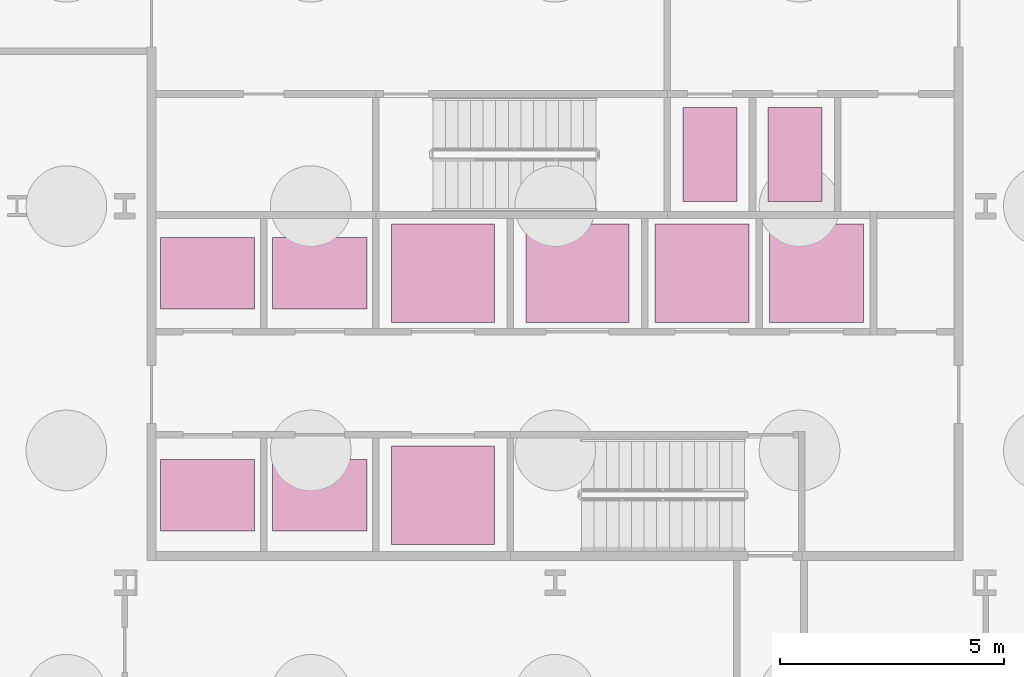
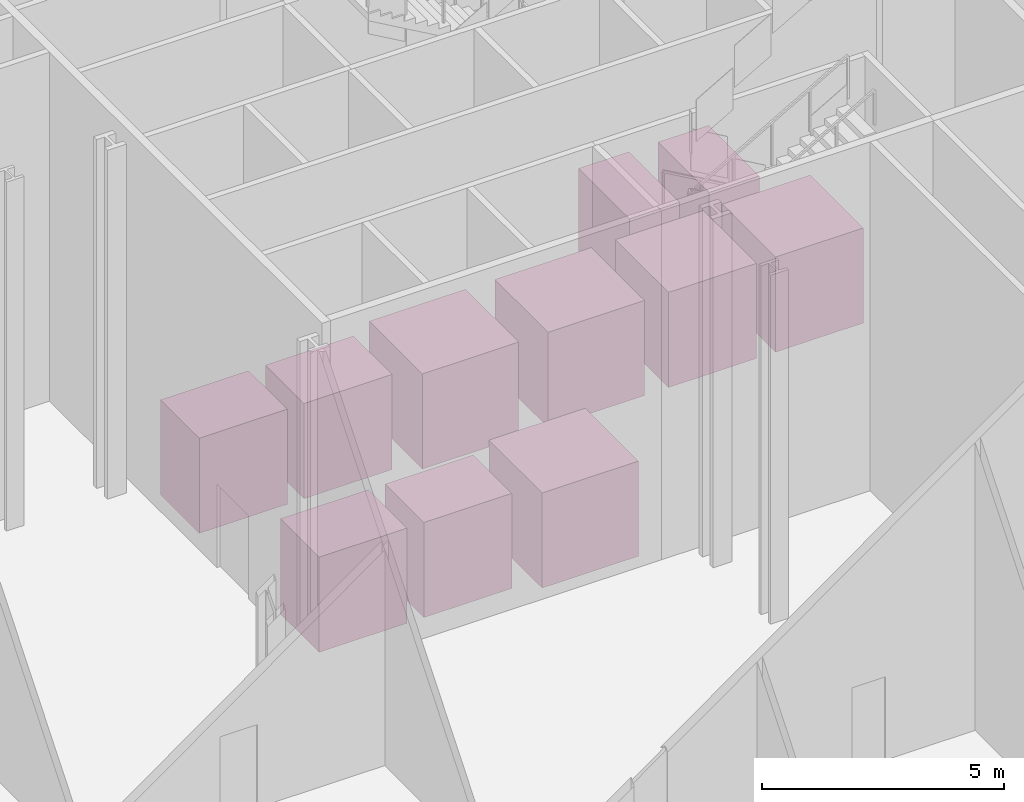
# One storey, part 38 of 38: 11 transport elements.
"""IFC4 building model written with IfcOpenShell, lengths in metres."""

from ifc_helpers import new_model, si_unit, direction, frame, origin, origin_2d, place, context, subcontext, project, spatial, rectangle, extrude, material, type_object, element, save


model = new_model("IFC4")

# Units and contexts
model_context = context("Model", 3, precision=1e-05, world=origin(), true_north=direction((0.0, 1.0)))
body_context = subcontext(model_context, "Body", "Model", "MODEL_VIEW")
ifc_project = project(units=[si_unit("LENGTHUNIT", "METRE"), si_unit("AREAUNIT", "SQUARE_METRE"), si_unit("VOLUMEUNIT", "CUBIC_METRE"), si_unit("PLANEANGLEUNIT", "RADIAN"), si_unit("MASSUNIT", "GRAM", prefix="KILO")], contexts=[model_context])

# Site, building, storey
site_placement = place(None, origin())
site = spatial("IfcSite", under=ifc_project, at=site_placement, CompositionType="ELEMENT")
building_placement = place(site_placement, origin())
building = spatial("IfcBuilding", under=site, at=building_placement, Name="Cairn Pilgrim Tower", CompositionType="ELEMENT")
storey_placement = place(building_placement, origin())
storey = spatial("IfcBuildingStorey", under=building, at=storey_placement, Name="L00", CompositionType="ELEMENT", Elevation=0.0)

# Transport elements
ifc_material_1 = material(Name="LIFT 1350KG FIREFIGHTING")
transport_element_type_1 = type_object("IfcTransportElementType", Name="LIFT 1350KG FIREFIGHTING", PredefinedType="ELEVATOR", material=ifc_material_1)
for number, where, z_axis, x_axis, name in (
    (1, (10.64990234375, 3.550048828125, 0.0), (0.0, 0.0, 1.0), (1.0, 0.0, 0.0), "FIREFIGHTING LIFT FF1"),
    (2, (12.550048828125, 3.550048828125, 0.0), (0.0, 0.0, 1.0), (1.0, 0.0, 0.0), "FIREFIGHTING LIFT FF2"),
):
    element("IfcTransportElement", number, at=place(storey_placement, frame(where, z_axis=z_axis, x_axis=x_axis)), inside=storey, type_object=transport_element_type_1, Name=name, PredefinedType="ELEVATOR", context=body_context, shape_type="SweptSolid", body=[
        extrude(rectangle(XDim=1.199951171875, YDim=2.10009765625, at=origin_2d()), origin(), (0.0, 0.0, 1.0), 2.39990234375),
    ])
ifc_material_2 = material(Name="LIFT 1600KG")
transport_element_type_2 = type_object("IfcTransportElementType", Name="LIFT 1600KG", PredefinedType="ELEVATOR", material=ifc_material_2)
for number, where, z_axis, x_axis, name in (
    (3, (-0.550048828125, -4.050048828125, 0.0), (0.0, 0.0, 1.0), (1.0, 0.0, 0.0), "LOW-RISE LIFT LR1"),
    (4, (1.949951171875, -4.050048828125, 0.0), (0.0, 0.0, 1.0), (1.0, 0.0, 0.0), "LOW-RISE LIFT LR2"),
    (5, (-0.550048828125, 0.89990234375, 0.0), (0.0, 0.0, 1.0), (1.0, 0.0, 0.0), "LOW-RISE LIFT LR3"),
    (6, (1.949951171875, 0.89990234375, 0.0), (0.0, 0.0, 1.0), (1.0, 0.0, 0.0), "LOW-RISE LIFT LR4"),
):
    element("IfcTransportElement", number, at=place(storey_placement, frame(where, z_axis=z_axis, x_axis=x_axis)), inside=storey, type_object=transport_element_type_2, Name=name, PredefinedType="ELEVATOR", context=body_context, shape_type="SweptSolid", body=[
        extrude(rectangle(XDim=2.10009765625, YDim=1.60009765625, at=origin_2d()), origin(), (0.0, 0.0, 1.0), 2.39990234375),
    ])
ifc_material_3 = material(Name="LIFT 2000KG")
transport_element_type_3 = type_object("IfcTransportElementType", Name="LIFT 2000KG", PredefinedType="ELEVATOR", material=ifc_material_3)
for number, where, z_axis, x_axis, name in (
    (7, (10.47509765625, 0.89990234375, 0.0), (0.0, 0.0, 1.0), (1.0, 0.0, 0.0), "SERVICE LIFT SV1"),
    (8, (13.02490234375, 0.89990234375, 0.0), (0.0, 0.0, 1.0), (1.0, 0.0, 0.0), "SERVICE LIFT SV2"),
):
    element("IfcTransportElement", number, at=place(storey_placement, frame(where, z_axis=z_axis, x_axis=x_axis)), inside=storey, type_object=transport_element_type_3, Name=name, PredefinedType="ELEVATOR", context=body_context, shape_type="SweptSolid", body=[
        extrude(rectangle(XDim=2.10009765625, YDim=2.199951171875, at=origin_2d()), origin(), (0.0, 0.0, 1.0), 2.39990234375),
    ])
ifc_material_4 = material(Name="LIFT 3500KG")
transport_element_type_4 = type_object("IfcTransportElementType", Name="LIFT 3500KG", PredefinedType="ELEVATOR", material=ifc_material_4)
for number, where, z_axis, x_axis, name in (
    (9, (4.699951171875, -4.050048828125, 0.0), (0.0, 0.0, 1.0), (1.0, 0.0, 0.0), "SHUTTLE LIFT SH1"),
    (10, (4.699951171875, 0.89990234375, 0.0), (0.0, 0.0, 1.0), (1.0, 0.0, 0.0), "SHUTTLE LIFT SH2"),
    (11, (7.699951171875, 0.89990234375, 0.0), (0.0, 0.0, 1.0), (1.0, 0.0, 0.0), "SHUTTLE LIFT SH3"),
):
    element("IfcTransportElement", number, at=place(storey_placement, frame(where, z_axis=z_axis, x_axis=x_axis)), inside=storey, type_object=transport_element_type_4, Name=name, PredefinedType="ELEVATOR", context=body_context, shape_type="SweptSolid", body=[
        extrude(rectangle(XDim=2.300048828125, YDim=2.199951171875, at=origin_2d()), origin(), (0.0, 0.0, 1.0), 2.39990234375),
    ])

save(model, "model.ifc")
